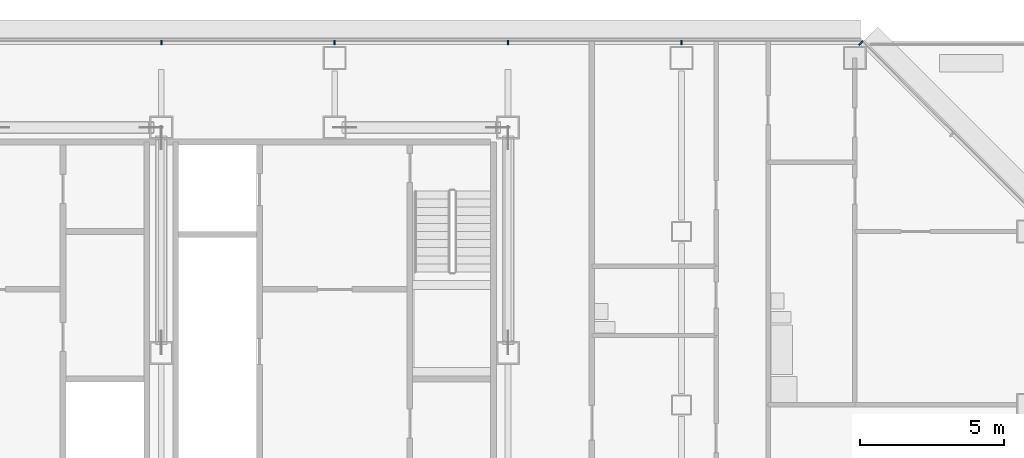
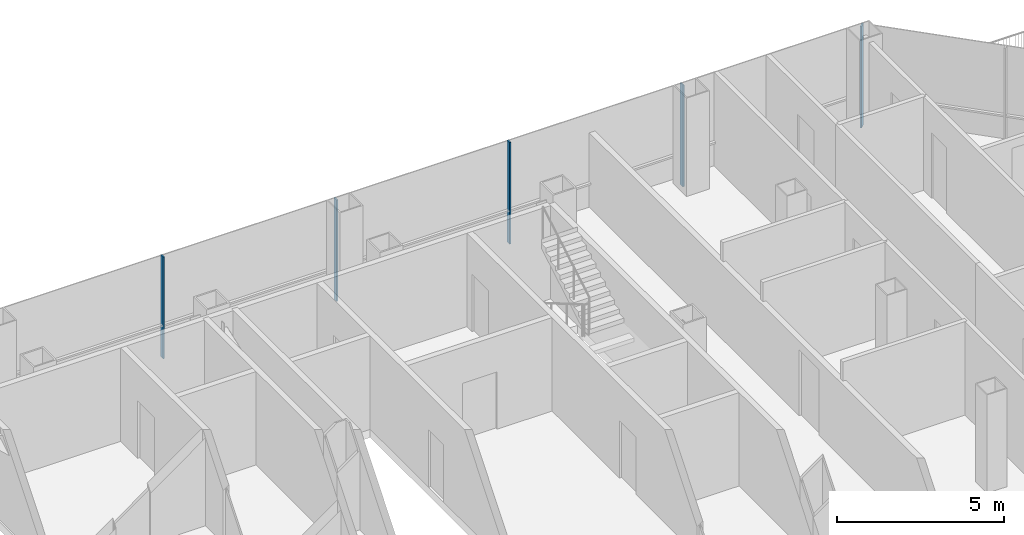
# One storey, part 13 of 28: 5 members, 2 elements without a shape of their own.
"""IFC4 building model written with IfcOpenShell, lengths in metres."""

from ifc_helpers import new_model, si_unit, direction, frame, origin, origin_2d, place, context, subcontext, project, spatial, rectangle, extrude, material, material_profile, profile_set, type_object, element, aggregate, save


model = new_model("IFC4")

# Units and contexts
model_context = context("Model", 3, precision=1e-05, world=origin(), true_north=direction((0.0, 1.0)))
body_context = subcontext(model_context, "Body", "Model", "MODEL_VIEW")
ifc_project = project(units=[si_unit("LENGTHUNIT", "METRE"), si_unit("AREAUNIT", "SQUARE_METRE"), si_unit("VOLUMEUNIT", "CUBIC_METRE"), si_unit("PLANEANGLEUNIT", "RADIAN"), si_unit("MASSUNIT", "GRAM", prefix="KILO")], contexts=[model_context])

# Site, building, storey
site_placement = place(None, origin())
site = spatial("IfcSite", under=ifc_project, at=site_placement, CompositionType="ELEMENT")
building_placement = place(site_placement, origin())
building = spatial("IfcBuilding", under=site, at=building_placement, Name="Sorahane Residences", CompositionType="ELEMENT")
storey_placement = place(building_placement, frame((0.0, 0.0, 96.199951171875)))
storey = spatial("IfcBuildingStorey", under=building, at=storey_placement, Name="L20", CompositionType="ELEMENT", Elevation=96.199951171875)

# Curtain wall, members
ifc_material_1 = material(Name="Dark low-e glass and black anodised aluminium", Category="aluminium")
curtain_wall_type_1 = type_object("IfcCurtainWallType", Name="Curtain wall CW-1 Typical unitised wall", PredefinedType="NOTDEFINED", material=ifc_material_1)
curtain_wall_1_placement = place(storey_placement, origin())
curtain_wall_1 = element("IfcCurtainWall", 1, at=curtain_wall_1_placement, inside=storey, type_object=curtain_wall_type_1, Name="CW-1 curtain wall L20 N1", PredefinedType="NOTDEFINED")
ifc_material_2 = material(Name="Black anodised aluminium", Category="aluminium")
ifc_material_profile_1 = material_profile(ifc_material_2, rectangle(XDim=0.159912109375, YDim=0.050048828125, at=origin_2d()), Name="Curtain wall mullion CW-1 black anodised aluminium 50x160")
ifc_profile_set_1 = profile_set([ifc_material_profile_1], Name="Black anodised aluminium")
member_type_1 = type_object("IfcMemberType", Name="Curtain wall mullion CW-1 black anodised aluminium 50x160", PredefinedType="MULLION", material=ifc_profile_set_1)
member_1_placement = place(storey_placement, frame((48.0, 48.5400390625, -0.300048828125), z_axis=(0.0, 0.0, 1.0), x_axis=(0.0, 1.0, 0.0)))
member_1 = element("IfcMember", 2, at=member_1_placement, type_object=member_type_1, Name="CW-1 mullion L20 N1.2", PredefinedType="MULLION", context=body_context, shape_type="SweptSolid", body=[
    extrude(rectangle(XDim=0.159912109375, YDim=0.050048828125, at=origin_2d()), origin(), (0.0, 0.0, 1.0), 3.72021484375),
])
member_2_placement = place(storey_placement, frame((42.0, 48.5400390625, -0.300048828125), z_axis=(0.0, 0.0, 1.0), x_axis=(0.0, 1.0, 0.0)))
member_2 = element("IfcMember", 3, at=member_2_placement, type_object=member_type_1, Name="CW-1 mullion L20 N1.3", PredefinedType="MULLION", context=body_context, shape_type="SweptSolid", body=[
    extrude(rectangle(XDim=0.159912109375, YDim=0.050048828125, at=origin_2d()), origin(), (0.0, 0.0, 1.0), 3.72021484375),
])
member_3_placement = place(storey_placement, frame((36.0, 48.5400390625, -0.300048828125), z_axis=(0.0, 0.0, 1.0), x_axis=(0.0, 1.0, 0.0)))
member_3 = element("IfcMember", 4, at=member_3_placement, type_object=member_type_1, Name="CW-1 mullion L20 N1.4", PredefinedType="MULLION", context=body_context, shape_type="SweptSolid", body=[
    extrude(rectangle(XDim=0.159912109375, YDim=0.050048828125, at=origin_2d()), origin(), (0.0, 0.0, 1.0), 3.72021484375),
])
member_4_placement = place(storey_placement, frame((30.0, 48.5400390625, -0.300048828125), z_axis=(0.0, 0.0, 1.0), x_axis=(0.0, 1.0, 0.0)))
member_4 = element("IfcMember", 5, at=member_4_placement, type_object=member_type_1, Name="CW-1 mullion L20 N1.5", PredefinedType="MULLION", context=body_context, shape_type="SweptSolid", body=[
    extrude(rectangle(XDim=0.159912109375, YDim=0.050048828125, at=origin_2d()), origin(), (0.0, 0.0, 1.0), 3.72021484375),
])
aggregate(curtain_wall_1, [member_1, member_2, member_3, member_4])

# Curtain wall, member
ifc_material_3 = material(Name="Dark low-e glass and black anodised aluminium", Category="aluminium")
curtain_wall_type_2 = type_object("IfcCurtainWallType", Name="Curtain wall CW-2 Chamfer unitised wall", PredefinedType="NOTDEFINED", material=ifc_material_3)
curtain_wall_2_placement = place(storey_placement, origin())
curtain_wall_2 = element("IfcCurtainWall", 6, at=curtain_wall_2_placement, inside=storey, type_object=curtain_wall_type_2, Name="CW-2 curtain wall L20 NE1", PredefinedType="NOTDEFINED")
ifc_material_4 = material(Name="Black anodised aluminium", Category="aluminium")
ifc_material_profile_2 = material_profile(ifc_material_4, rectangle(XDim=0.199951171875, YDim=0.050048828125, at=origin_2d()), Name="Curtain wall mullion CW-2 black anodised aluminium 50x200")
ifc_profile_set_2 = profile_set([ifc_material_profile_2], Name="Black anodised aluminium")
member_type_2 = type_object("IfcMemberType", Name="Curtain wall mullion CW-2 black anodised aluminium 50x200", PredefinedType="MULLION", material=ifc_profile_set_2)
member_5_placement = place(storey_placement, frame((54.209716796875, 48.525634765625, -0.300048828125), z_axis=(0.0, 0.0, 1.0), x_axis=(0.707106781187, 0.707106781187, 0.0)))
member_5 = element("IfcMember", 7, at=member_5_placement, type_object=member_type_2, Name="CW-2 mullion L20 NE1.3", PredefinedType="MULLION", context=body_context, shape_type="SweptSolid", body=[
    extrude(rectangle(XDim=0.199951171875, YDim=0.050048828125, at=origin_2d()), origin(), (0.0, 0.0, 1.0), 3.72021484375),
])
aggregate(curtain_wall_2, [member_5])

save(model, "model.ifc")
